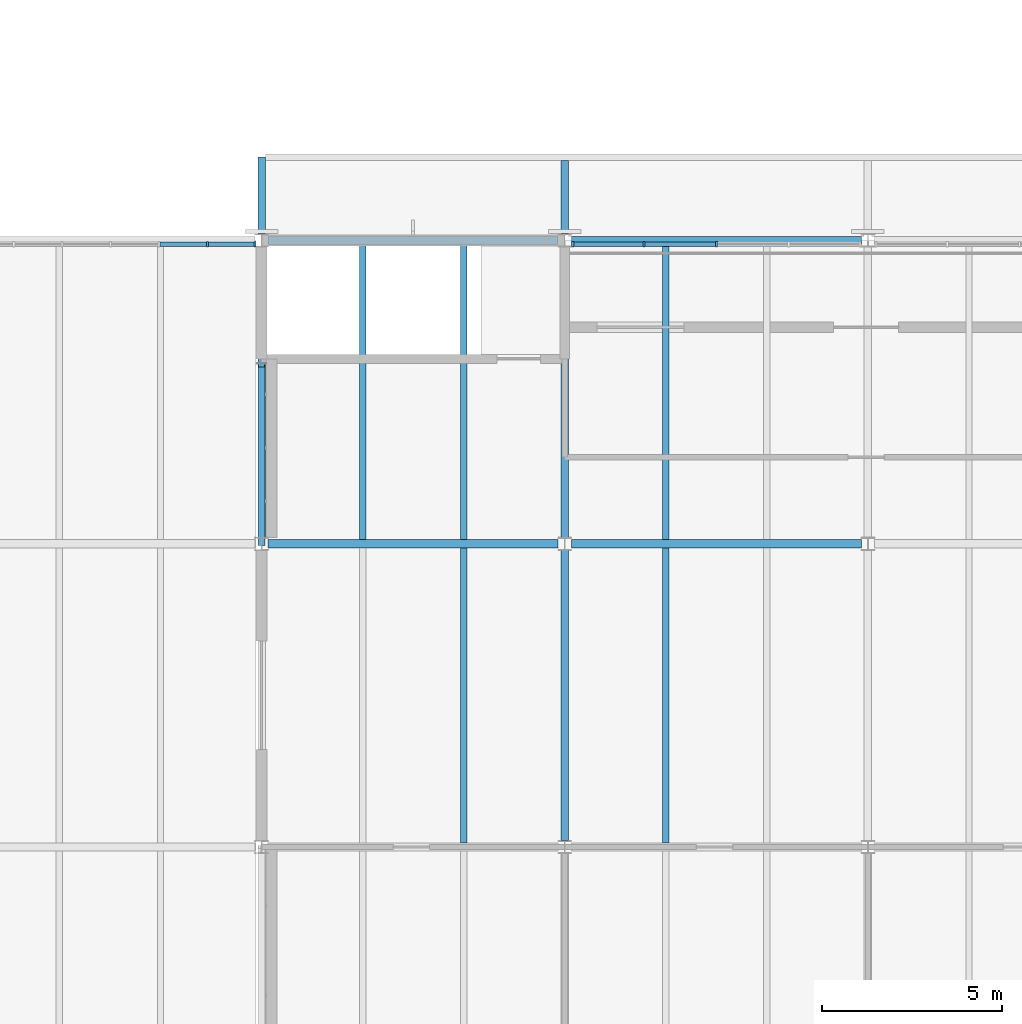
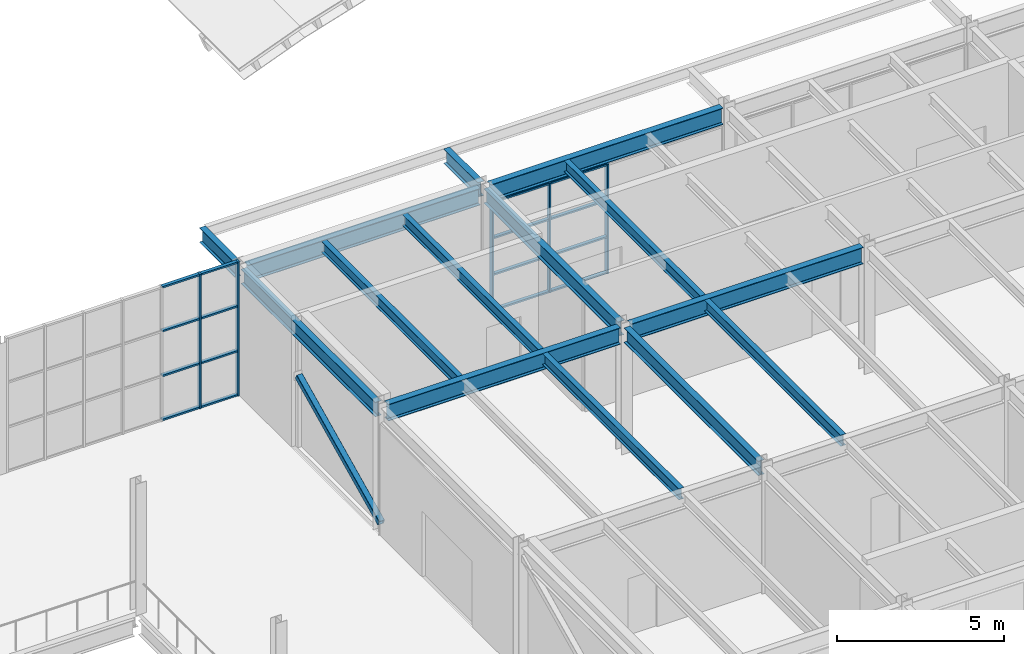
# One storey, part 44 of 116: 22 members, 14 beams, 2 elements without a shape of their own.
"""IFC4 building model written with IfcOpenShell, lengths in metres."""

from ifc_helpers import new_model, si_unit, direction, frame, origin, origin_2d, place, context, subcontext, project, spatial, rectangle, hollow_rectangle, i_section, extrude, material, material_profile, profile_set, type_object, element, aggregate, save


model = new_model("IFC4")

# Units and contexts
model_context = context("Model", 3, precision=1e-05, world=origin(), true_north=direction((0.0, 1.0)))
body_context = subcontext(model_context, "Body", "Model", "MODEL_VIEW")
ifc_project = project(units=[si_unit("LENGTHUNIT", "METRE"), si_unit("AREAUNIT", "SQUARE_METRE"), si_unit("VOLUMEUNIT", "CUBIC_METRE"), si_unit("PLANEANGLEUNIT", "RADIAN"), si_unit("MASSUNIT", "GRAM", prefix="KILO")], contexts=[model_context])

# Site, building, storey
site_placement = place(None, origin())
site = spatial("IfcSite", under=ifc_project, at=site_placement, CompositionType="ELEMENT")
building_placement = place(site_placement, origin())
building = spatial("IfcBuilding", under=site, at=building_placement, Name="Ljudholm Concert House", CompositionType="ELEMENT")
storey_placement = place(building_placement, frame((0.0, 0.0, 10.199951171875)))
storey = spatial("IfcBuildingStorey", under=building, at=storey_placement, Name="L02", CompositionType="ELEMENT", Elevation=10.199951171875)

# Curtain wall, members
ifc_material_1 = material(Name="Aluminium curtain wall with fixed aluminium storm louvre blades, timber-grain finish", Category="aluminium")
curtain_wall_type_1 = type_object("IfcCurtainWallType", Name="CURTAIN WALL 2000", PredefinedType="NOTDEFINED", material=ifc_material_1)
curtain_wall_1_placement = place(storey_placement, origin())
curtain_wall_1 = element("IfcCurtainWall", 1, at=curtain_wall_1_placement, inside=storey, type_object=curtain_wall_type_1, Name="Storm louvre screen", PredefinedType="NOTDEFINED")
ifc_material_2 = material(Name="Aluminium extrusion", Category="aluminium")
ifc_material_profile_1 = material_profile(ifc_material_2, rectangle(XDim=0.159912109375, YDim=0.06005859375, at=origin_2d()), Name="MULLION 60x160")
ifc_profile_set_1 = profile_set([ifc_material_profile_1], Name="Aluminium extrusion")
member_type_1 = type_object("IfcMemberType", Name="MULLION 60x160", PredefinedType="MULLION", material=ifc_profile_set_1)
member_1_placement = place(storey_placement, frame((63.02001953125, 129.89990234375, 0.0), z_axis=(0.0, 0.0, 1.0), x_axis=(0.0, 1.0, 0.0)))
member_1 = element("IfcMember", 2, at=member_1_placement, type_object=member_type_1, Name="Mullion", PredefinedType="MULLION", context=body_context, shape_type="SweptSolid", body=[
    extrude(rectangle(XDim=0.159912109375, YDim=0.06005859375, at=origin_2d()), origin(), (0.0, 0.0, 1.0), 4.0078125),
])
member_2_placement = place(storey_placement, frame((64.9951171875, 129.89990234375, 0.0), z_axis=(0.0, 0.0, 1.0), x_axis=(0.0, 1.0, 0.0)))
member_2 = element("IfcMember", 3, at=member_2_placement, type_object=member_type_1, Name="Mullion", PredefinedType="MULLION", context=body_context, shape_type="SweptSolid", body=[
    extrude(rectangle(XDim=0.159912109375, YDim=0.06005859375, at=origin_2d()), origin(), (0.0, 0.0, 1.0), 4.0078125),
])
member_3_placement = place(storey_placement, frame((67.0, 129.89990234375, 0.0), z_axis=(0.0, 0.0, 1.0), x_axis=(0.0, 1.0, 0.0)))
member_3 = element("IfcMember", 4, at=member_3_placement, type_object=member_type_1, Name="Mullion", PredefinedType="MULLION", context=body_context, shape_type="SweptSolid", body=[
    extrude(rectangle(XDim=0.159912109375, YDim=0.06005859375, at=origin_2d()), origin(), (0.0, 0.0, 1.0), 4.0078125),
])

ifc_material_3 = material(Name="Aluminium curtain wall with impact-rated laminated glass", Category="aluminium")
curtain_wall_type_2 = type_object("IfcCurtainWallType", Name="CURTAIN WALL 1400", PredefinedType="NOTDEFINED", material=ifc_material_3)
curtain_wall_2_placement = place(storey_placement, origin())
curtain_wall_2 = element("IfcCurtainWall", 5, at=curtain_wall_2_placement, inside=storey, type_object=curtain_wall_type_2, Name="North curtain wall", PredefinedType="NOTDEFINED")
member_4_placement = place(storey_placement, frame((52.90673828125, 129.89990234375, 0.0), z_axis=(0.0, 0.0, 1.0), x_axis=(0.0, 1.0, 0.0)))
member_4 = element("IfcMember", 6, at=member_4_placement, type_object=member_type_1, Name="Mullion", PredefinedType="MULLION", context=body_context, shape_type="SweptSolid", body=[
    extrude(rectangle(XDim=0.159912109375, YDim=0.06005859375, at=origin_2d()), origin(), (0.0, 0.0, 1.0), 4.9111328125),
])
member_5_placement = place(storey_placement, frame((54.219970703125, 129.89990234375, 0.0), z_axis=(0.0, 0.0, 1.0), x_axis=(0.0, 1.0, 0.0)))
member_5 = element("IfcMember", 7, at=member_5_placement, type_object=member_type_1, Name="Mullion", PredefinedType="MULLION", context=body_context, shape_type="SweptSolid", body=[
    extrude(rectangle(XDim=0.159912109375, YDim=0.06005859375, at=origin_2d()), origin(), (0.0, 0.0, 1.0), 4.9111328125),
])

# Beams
ifc_material_4 = material(Name="Steel ASTM A992", Category="steel")
ifc_material_profile_2 = material_profile(ifc_material_4, i_section(OverallWidth=0.177734375, OverallDepth=0.406494140625, WebThickness=0.0078125, FlangeThickness=0.012939453125, FilletRadius=0.01025390625, at=origin_2d()), Name="W16X40")
ifc_profile_set_2 = profile_set([ifc_material_profile_2], Name="Steel ASTM A992")
beam_type_1 = type_object("IfcBeamType", Name="STEEL BEAM W16X40", PredefinedType="BEAM", material=ifc_profile_set_2)
for number, where, z_axis, x_axis, name in (
    (8, (60.0, 113.314453125, 4.416748046875), (0.0, 1.0, 0.0), (-1.0, 0.0, 0.0), "Beam STUDIO-ROOF-sb-60-113.2"),
    (9, (57.199951171875, 121.714599609375, 4.416748046875), (0.0, 1.0, 0.0), (-1.0, 0.0, 0.0), "Beam STUDIO-ROOF-sb-57.2-121.6"),
    (10, (60.0, 121.714599609375, 4.416748046875), (0.0, 1.0, 0.0), (-1.0, 0.0, 0.0), "Beam STUDIO-ROOF-sb-60-121.6"),
    (11, (65.60009765625, 113.314453125, 4.416748046875), (0.0, 1.0, 0.0), (-1.0, 0.0, 0.0), "Beam STUDIO-ROOF-sb-65.6-113.2"),
    (12, (65.60009765625, 121.714599609375, 4.416748046875), (0.0, 1.0, 0.0), (-1.0, 0.0, 0.0), "Beam STUDIO-ROOF-sb-65.6-121.6"),
):
    element("IfcBeam", number, at=place(storey_placement, frame(where, z_axis=z_axis, x_axis=x_axis)), inside=storey, type_object=beam_type_1, Name=name, PredefinedType="BEAM", context=body_context, shape_type="SweptSolid", body=[
        extrude(i_section(OverallWidth=0.177734375, OverallDepth=0.406494140625, WebThickness=0.0078125, FlangeThickness=0.012939453125, FilletRadius=0.01025390625, at=origin_2d()), origin(), (0.0, 0.0, 1.0), 8.1708984375),
    ])
ifc_material_5 = material(Name="Steel ASTM A992", Category="steel")
ifc_material_profile_3 = material_profile(ifc_material_5, i_section(OverallWidth=0.209228515625, OverallDepth=0.533447265625, WebThickness=0.01025390625, FlangeThickness=0.015625, FilletRadius=0.012939453125, at=origin_2d()), Name="W21X62")
ifc_profile_set_3 = profile_set([ifc_material_profile_3], Name="Steel ASTM A992")
beam_type_2 = type_object("IfcBeamType", Name="STEEL BEAM W21X62", PredefinedType="BEAM", material=ifc_profile_set_3)
for number, where, z_axis, x_axis, name in (
    (13, (54.39990234375, 121.77783203125, 4.353271484375), (0.0, 1.0, 0.0), (-1.0, 0.0, 0.0), "Beam STUDIO-ROOF-gy-54.4-121.6"),
    (14, (62.800048828125, 113.377685546875, 4.353271484375), (0.0, 1.0, 0.0), (-1.0, 0.0, 0.0), "Beam STUDIO-ROOF-gy-62.8-113.2"),
    (15, (62.800048828125, 121.77783203125, 4.353271484375), (0.0, 1.0, 0.0), (-1.0, 0.0, 0.0), "Beam STUDIO-ROOF-gy-62.8-121.6"),
):
    element("IfcBeam", number, at=place(storey_placement, frame(where, z_axis=z_axis, x_axis=x_axis)), inside=storey, type_object=beam_type_2, Name=name, PredefinedType="BEAM", context=body_context, shape_type="SweptSolid", body=[
        extrude(i_section(OverallWidth=0.209228515625, OverallDepth=0.533447265625, WebThickness=0.01025390625, FlangeThickness=0.015625, FilletRadius=0.012939453125, at=origin_2d()), origin(), (0.0, 0.0, 1.0), 8.04443359375),
    ])
beam_1_placement = place(storey_placement, frame((54.39990234375, 130.177734375, 4.353271484375), z_axis=(0.0, 1.0, 0.0), x_axis=(-1.0, 0.0, 0.0)))
element("IfcBeam", 16, at=beam_1_placement, inside=storey, type_object=beam_type_2, Name="Beam STUDIO-ROOF-eave-gN-54.4", PredefinedType="BEAM", context=body_context, shape_type="SweptSolid", body=[
    extrude(i_section(OverallWidth=0.209228515625, OverallDepth=0.533447265625, WebThickness=0.01025390625, FlangeThickness=0.015625, FilletRadius=0.012939453125, at=origin_2d()), origin(), (0.0, 0.0, 1.0), 2.13330078125),
])
beam_2_placement = place(storey_placement, frame((62.800048828125, 130.177734375, 4.353271484375), z_axis=(0.0, 1.0, 0.0), x_axis=(-1.0, 0.0, 0.0)))
element("IfcBeam", 17, at=beam_2_placement, inside=storey, type_object=beam_type_2, Name="Beam STUDIO-ROOF-eave-gN-62.8", PredefinedType="BEAM", context=body_context, shape_type="SweptSolid", body=[
    extrude(i_section(OverallWidth=0.209228515625, OverallDepth=0.533447265625, WebThickness=0.01025390625, FlangeThickness=0.015625, FilletRadius=0.012939453125, at=origin_2d()), origin(), (0.0, 0.0, 1.0), 2.04443359375),
])
ifc_material_6 = material(Name="Steel ASTM A992", Category="steel")
ifc_material_profile_4 = material_profile(ifc_material_6, i_section(OverallWidth=0.22900390625, OverallDepth=0.612060546875, WebThickness=0.011962890625, FlangeThickness=0.01953125, FilletRadius=0.0126953125, at=origin_2d()), Name="W24X84")
ifc_profile_set_4 = profile_set([ifc_material_profile_4], Name="Steel ASTM A992")
beam_type_3 = type_object("IfcBeamType", Name="STEEL BEAM W24X84", PredefinedType="BEAM", material=ifc_profile_set_4)
for number, where, z_axis, x_axis, name in (
    (18, (54.584228515625, 121.60009765625, 4.31396484375), (1.0, 0.0, 0.0), (0.0, 1.0, 0.0), "Beam STUDIO-ROOF-gx-54.4-121.6"),
    (19, (62.984130859375, 121.60009765625, 4.31396484375), (1.0, 0.0, 0.0), (0.0, 1.0, 0.0), "Beam STUDIO-ROOF-gx-62.8-121.6"),
    (20, (54.584228515625, 130.0, 4.31396484375), (1.0, 0.0, 0.0), (0.0, 1.0, 0.0), "Beam STUDIO-ROOF-gx-54.4-130"),
    (21, (62.984130859375, 130.0, 4.31396484375), (1.0, 0.0, 0.0), (0.0, 1.0, 0.0), "Beam STUDIO-ROOF-gx-62.8-130"),
):
    element("IfcBeam", number, at=place(storey_placement, frame(where, z_axis=z_axis, x_axis=x_axis)), inside=storey, type_object=beam_type_3, Name=name, PredefinedType="BEAM", context=body_context, shape_type="SweptSolid", body=[
        extrude(i_section(OverallWidth=0.22900390625, OverallDepth=0.612060546875, WebThickness=0.011962890625, FlangeThickness=0.01953125, FilletRadius=0.0126953125, at=origin_2d()), origin(), (0.0, 0.0, 1.0), 8.03173828125),
    ])

# Member
ifc_material_7 = material(Name="Steel ASTM A500 Gr. C", Category="steel")
ifc_material_profile_5 = material_profile(ifc_material_7, hollow_rectangle(XDim=0.203125, YDim=0.203125, WallThickness=0.01171875, InnerFilletRadius=0.005859375, OuterFilletRadius=0.017822265625, at=origin_2d()), Name="HSS8X8X1/2")
ifc_profile_set_5 = profile_set([ifc_material_profile_5], Name="Steel ASTM A500 Gr. C")
member_type_2 = type_object("IfcMemberType", Name="STEEL MEMBER HSS8X8X1/2 BRACE", PredefinedType="BRACE", material=ifc_profile_set_5)
member_6_placement = place(storey_placement, frame((54.39990234375, 121.60009765625, 0.300048828125), z_axis=(0.0, 0.90202329703, 0.431687354012), x_axis=(-1.0, 0.0, 0.0)))
element("IfcMember", 22, at=member_6_placement, inside=storey, type_object=member_type_2, Name="Brace", PredefinedType="BRACE", context=body_context, shape_type="SweptSolid", body=[
    extrude(hollow_rectangle(XDim=0.203125, YDim=0.203125, WallThickness=0.01171875, InnerFilletRadius=0.005859375, OuterFilletRadius=0.017822265625, at=origin_2d()), origin(), (0.0, 0.0, 1.0), 5.476806640625),
])

ifc_material_8 = material(Name="Aluminium extrusion", Category="aluminium")
ifc_material_profile_6 = material_profile(ifc_material_8, rectangle(XDim=0.1201171875, YDim=0.06005859375, at=origin_2d()), Name="TRANSOM 60x120")
ifc_profile_set_6 = profile_set([ifc_material_profile_6], Name="Aluminium extrusion")
member_type_3 = type_object("IfcMemberType", Name="TRANSOM 60x120", PredefinedType="USERDEFINED", material=ifc_profile_set_6)
member_7_placement = place(storey_placement, frame((63.050048828125, 129.89990234375, 0.030029296875), z_axis=(1.0, 0.0, 0.0), x_axis=(0.0, 1.0, 0.0)))
member_7 = element("IfcMember", 23, at=member_7_placement, type_object=member_type_3, Name="Transom", ObjectType="TRANSOM", PredefinedType="USERDEFINED", context=body_context, shape_type="SweptSolid", body=[
    extrude(rectangle(XDim=0.1201171875, YDim=0.06005859375, at=origin_2d()), origin(), (0.0, 0.0, 1.0), 1.9150390625),
])

member_8_placement = place(storey_placement, frame((63.050048828125, 129.89990234375, 1.3359375), z_axis=(1.0, 0.0, 0.0), x_axis=(0.0, 1.0, 0.0)))
member_8 = element("IfcMember", 24, at=member_8_placement, type_object=member_type_3, Name="Transom", ObjectType="TRANSOM", PredefinedType="USERDEFINED", context=body_context, shape_type="SweptSolid", body=[
    extrude(rectangle(XDim=0.1201171875, YDim=0.06005859375, at=origin_2d()), origin(), (0.0, 0.0, 1.0), 1.9150390625),
])

member_9_placement = place(storey_placement, frame((63.050048828125, 129.89990234375, 2.671875), z_axis=(1.0, 0.0, 0.0), x_axis=(0.0, 1.0, 0.0)))
member_9 = element("IfcMember", 25, at=member_9_placement, type_object=member_type_3, Name="Transom", ObjectType="TRANSOM", PredefinedType="USERDEFINED", context=body_context, shape_type="SweptSolid", body=[
    extrude(rectangle(XDim=0.1201171875, YDim=0.06005859375, at=origin_2d()), origin(), (0.0, 0.0, 1.0), 1.9150390625),
])

member_10_placement = place(storey_placement, frame((63.050048828125, 129.89990234375, 3.97802734375), z_axis=(1.0, 0.0, 0.0), x_axis=(0.0, 1.0, 0.0)))
member_10 = element("IfcMember", 26, at=member_10_placement, type_object=member_type_3, Name="Transom", ObjectType="TRANSOM", PredefinedType="USERDEFINED", context=body_context, shape_type="SweptSolid", body=[
    extrude(rectangle(XDim=0.1201171875, YDim=0.06005859375, at=origin_2d()), origin(), (0.0, 0.0, 1.0), 1.9150390625),
])

member_11_placement = place(storey_placement, frame((65.02490234375, 129.89990234375, 0.030029296875), z_axis=(1.0, 0.0, 0.0), x_axis=(0.0, 1.0, 0.0)))
member_11 = element("IfcMember", 27, at=member_11_placement, type_object=member_type_3, Name="Transom", ObjectType="TRANSOM", PredefinedType="USERDEFINED", context=body_context, shape_type="SweptSolid", body=[
    extrude(rectangle(XDim=0.1201171875, YDim=0.06005859375, at=origin_2d()), origin(), (0.0, 0.0, 1.0), 1.945068359375),
])

member_12_placement = place(storey_placement, frame((65.02490234375, 129.89990234375, 1.3359375), z_axis=(1.0, 0.0, 0.0), x_axis=(0.0, 1.0, 0.0)))
member_12 = element("IfcMember", 28, at=member_12_placement, type_object=member_type_3, Name="Transom", ObjectType="TRANSOM", PredefinedType="USERDEFINED", context=body_context, shape_type="SweptSolid", body=[
    extrude(rectangle(XDim=0.1201171875, YDim=0.06005859375, at=origin_2d()), origin(), (0.0, 0.0, 1.0), 1.945068359375),
])

member_13_placement = place(storey_placement, frame((65.02490234375, 129.89990234375, 2.671875), z_axis=(1.0, 0.0, 0.0), x_axis=(0.0, 1.0, 0.0)))
member_13 = element("IfcMember", 29, at=member_13_placement, type_object=member_type_3, Name="Transom", ObjectType="TRANSOM", PredefinedType="USERDEFINED", context=body_context, shape_type="SweptSolid", body=[
    extrude(rectangle(XDim=0.1201171875, YDim=0.06005859375, at=origin_2d()), origin(), (0.0, 0.0, 1.0), 1.945068359375),
])

member_14_placement = place(storey_placement, frame((65.02490234375, 129.89990234375, 3.97802734375), z_axis=(1.0, 0.0, 0.0), x_axis=(0.0, 1.0, 0.0)))
member_14 = element("IfcMember", 30, at=member_14_placement, type_object=member_type_3, Name="Transom", ObjectType="TRANSOM", PredefinedType="USERDEFINED", context=body_context, shape_type="SweptSolid", body=[
    extrude(rectangle(XDim=0.1201171875, YDim=0.06005859375, at=origin_2d()), origin(), (0.0, 0.0, 1.0), 1.945068359375),
])

aggregate(curtain_wall_1, [member_1, member_2, member_3, member_7, member_8, member_9, member_10, member_11, member_12, member_13, member_14])

member_15_placement = place(storey_placement, frame((51.59326171875, 129.89990234375, 0.030029296875), z_axis=(1.0, 0.0, 0.0), x_axis=(0.0, 1.0, 0.0)))
member_15 = element("IfcMember", 31, at=member_15_placement, type_object=member_type_3, Name="Transom", ObjectType="TRANSOM", PredefinedType="USERDEFINED", context=body_context, shape_type="SweptSolid", body=[
    extrude(rectangle(XDim=0.1201171875, YDim=0.06005859375, at=origin_2d()), origin(), (0.0, 0.0, 1.0), 1.283447265625),
])

member_16_placement = place(storey_placement, frame((51.59326171875, 129.89990234375, 1.636962890625), z_axis=(1.0, 0.0, 0.0), x_axis=(0.0, 1.0, 0.0)))
member_16 = element("IfcMember", 32, at=member_16_placement, type_object=member_type_3, Name="Transom", ObjectType="TRANSOM", PredefinedType="USERDEFINED", context=body_context, shape_type="SweptSolid", body=[
    extrude(rectangle(XDim=0.1201171875, YDim=0.06005859375, at=origin_2d()), origin(), (0.0, 0.0, 1.0), 1.283447265625),
])

member_17_placement = place(storey_placement, frame((51.59326171875, 129.89990234375, 3.274169921875), z_axis=(1.0, 0.0, 0.0), x_axis=(0.0, 1.0, 0.0)))
member_17 = element("IfcMember", 33, at=member_17_placement, type_object=member_type_3, Name="Transom", ObjectType="TRANSOM", PredefinedType="USERDEFINED", context=body_context, shape_type="SweptSolid", body=[
    extrude(rectangle(XDim=0.1201171875, YDim=0.06005859375, at=origin_2d()), origin(), (0.0, 0.0, 1.0), 1.283447265625),
])

member_18_placement = place(storey_placement, frame((51.59326171875, 129.89990234375, 4.881103515625), z_axis=(1.0, 0.0, 0.0), x_axis=(0.0, 1.0, 0.0)))
member_18 = element("IfcMember", 34, at=member_18_placement, type_object=member_type_3, Name="Transom", ObjectType="TRANSOM", PredefinedType="USERDEFINED", context=body_context, shape_type="SweptSolid", body=[
    extrude(rectangle(XDim=0.1201171875, YDim=0.06005859375, at=origin_2d()), origin(), (0.0, 0.0, 1.0), 1.283447265625),
])

member_19_placement = place(storey_placement, frame((52.936767578125, 129.89990234375, 0.030029296875), z_axis=(1.0, 0.0, 0.0), x_axis=(0.0, 1.0, 0.0)))
member_19 = element("IfcMember", 35, at=member_19_placement, type_object=member_type_3, Name="Transom", ObjectType="TRANSOM", PredefinedType="USERDEFINED", context=body_context, shape_type="SweptSolid", body=[
    extrude(rectangle(XDim=0.1201171875, YDim=0.06005859375, at=origin_2d()), origin(), (0.0, 0.0, 1.0), 1.253173828125),
])

member_20_placement = place(storey_placement, frame((52.936767578125, 129.89990234375, 1.636962890625), z_axis=(1.0, 0.0, 0.0), x_axis=(0.0, 1.0, 0.0)))
member_20 = element("IfcMember", 36, at=member_20_placement, type_object=member_type_3, Name="Transom", ObjectType="TRANSOM", PredefinedType="USERDEFINED", context=body_context, shape_type="SweptSolid", body=[
    extrude(rectangle(XDim=0.1201171875, YDim=0.06005859375, at=origin_2d()), origin(), (0.0, 0.0, 1.0), 1.253173828125),
])

member_21_placement = place(storey_placement, frame((52.936767578125, 129.89990234375, 3.274169921875), z_axis=(1.0, 0.0, 0.0), x_axis=(0.0, 1.0, 0.0)))
member_21 = element("IfcMember", 37, at=member_21_placement, type_object=member_type_3, Name="Transom", ObjectType="TRANSOM", PredefinedType="USERDEFINED", context=body_context, shape_type="SweptSolid", body=[
    extrude(rectangle(XDim=0.1201171875, YDim=0.06005859375, at=origin_2d()), origin(), (0.0, 0.0, 1.0), 1.253173828125),
])

member_22_placement = place(storey_placement, frame((52.936767578125, 129.89990234375, 4.881103515625), z_axis=(1.0, 0.0, 0.0), x_axis=(0.0, 1.0, 0.0)))
member_22 = element("IfcMember", 38, at=member_22_placement, type_object=member_type_3, Name="Transom", ObjectType="TRANSOM", PredefinedType="USERDEFINED", context=body_context, shape_type="SweptSolid", body=[
    extrude(rectangle(XDim=0.1201171875, YDim=0.06005859375, at=origin_2d()), origin(), (0.0, 0.0, 1.0), 1.253173828125),
])

aggregate(curtain_wall_2, [member_4, member_5, member_15, member_16, member_17, member_18, member_19, member_20, member_21, member_22])

save(model, "model.ifc")
